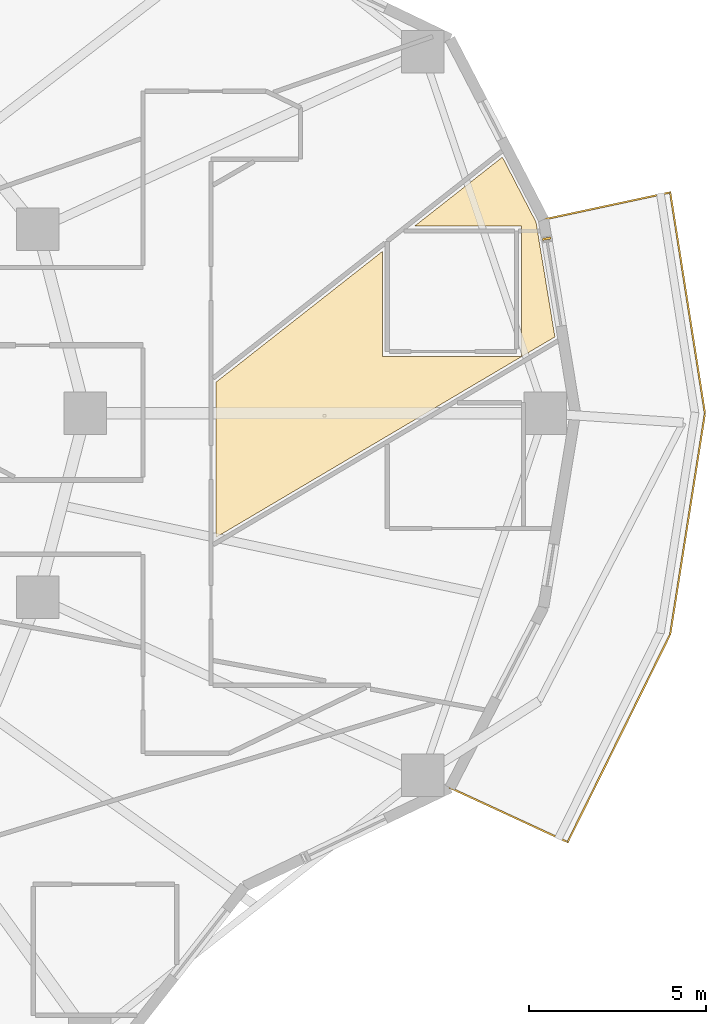
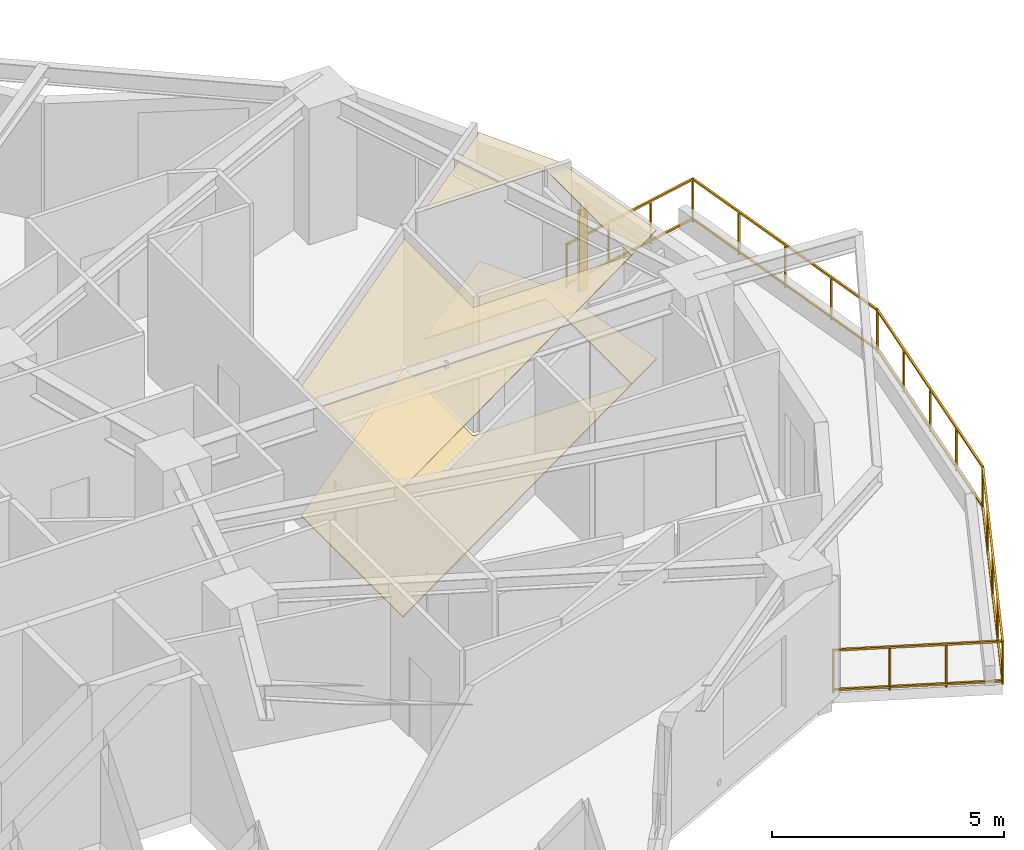
# One storey, part 14 of 16: 2 coverings, 1 railing, 1 shading device.
"""IFC4 building model written with IfcOpenShell, lengths in metres."""

from ifc_helpers import new_model, si_unit, direction, frame, origin, origin_2d, place, context, subcontext, project, spatial, polyline, rectangle, outline, extrude, material, layer, layer_set, type_object, element, save


model = new_model("IFC4")

# Units and contexts
model_context = context("Model", 3, precision=1e-05, world=origin(), true_north=direction((0.0, 1.0)))
body_context = subcontext(model_context, "Body", "Model", "MODEL_VIEW")
ifc_project = project(units=[si_unit("LENGTHUNIT", "METRE"), si_unit("AREAUNIT", "SQUARE_METRE"), si_unit("VOLUMEUNIT", "CUBIC_METRE"), si_unit("PLANEANGLEUNIT", "RADIAN"), si_unit("MASSUNIT", "GRAM", prefix="KILO")], contexts=[model_context])

# Site, building, storey
site_placement = place(None, origin())
site = spatial("IfcSite", under=ifc_project, at=site_placement, CompositionType="ELEMENT")
building_placement = place(site_placement, origin())
building = spatial("IfcBuilding", under=site, at=building_placement, Name="Kolvaren Gate Tower and Convention Centre", CompositionType="ELEMENT")
storey_placement = place(building_placement, frame((0.0, 0.0, 65.0)))
storey = spatial("IfcBuildingStorey", under=building, at=storey_placement, Name="L15", CompositionType="ELEMENT", Elevation=65.0)

# Coverings
ifc_material_1 = material(Name="Perforated Mineral-Fibre Acoustic Ceiling Tile 18 mm", Category="gypsum")
ifc_layer_1 = layer(ifc_material_1, 0.01806640625)
ifc_layer_set_1 = layer_set([ifc_layer_1], Name="Perforated Mineral-Fibre Acoustic Ceiling Tile 18 mm")
covering_type_1 = type_object("IfcCoveringType", Name="ARCH-COV-CEIL-18", PredefinedType="CEILING", material=ifc_layer_set_1)
covering_1_placement = place(storey_placement, frame((0.0, 0.0, 3.389892578125)))
element("IfcCovering", 1, at=covering_1_placement, inside=storey, type_object=covering_type_1, Name="Legal Chambers Cellular Office Acoustic Suspended Ceiling", PredefinedType="CEILING", context=body_context, shape_type="SweptSolid", body=[
    extrude(outline(polyline([(55.98388671875, 29.158935546875), (46.409912109375, 23.4970703125), (46.409912109375, 27.87890625), (51.110107421875, 31.572021484375), (51.110107421875, 28.610107421875), (55.0400390625, 28.610107421875), (55.0400390625, 32.2900390625), (52.02392578125, 32.2900390625), (54.5009765625, 34.236083984375), (55.449951171875, 32.403076171875), (55.98388671875, 29.158935546875)])), origin(), (0.0, 0.0, 1.0), 0.01806640625),
])
ifc_material_2 = material(Name="Honed Sabana Limestone Terrazzo Flooring 30 mm", Category="masonry")
ifc_layer_2 = layer(ifc_material_2, 0.030029296875)
ifc_layer_set_2 = layer_set([ifc_layer_2], Name="Honed Sabana Limestone Terrazzo Flooring 30 mm")
covering_type_2 = type_object("IfcCoveringType", Name="ARCH-COV-FLR-30", PredefinedType="FLOORING", material=ifc_layer_set_2)
covering_2_placement = place(storey_placement, origin())
element("IfcCovering", 2, at=covering_2_placement, inside=storey, type_object=covering_type_2, Name="Legal Chambers Cellular Office Interior Finish Flooring", PredefinedType="FLOORING", context=body_context, shape_type="SweptSolid", body=[
    extrude(outline(polyline([(55.98388671875, 29.158935546875), (46.409912109375, 23.4970703125), (46.409912109375, 27.87890625), (51.110107421875, 31.572021484375), (51.110107421875, 28.610107421875), (55.0400390625, 28.610107421875), (55.0400390625, 32.2900390625), (52.02392578125, 32.2900390625), (54.5009765625, 34.236083984375), (55.449951171875, 32.403076171875), (55.98388671875, 29.158935546875)])), origin(), (0.0, 0.0, 1.0), 0.030029296875),
])

# Railing
ifc_material_3 = material(Name="Brushed Stainless Steel Grade 316L", Category="steel")
railing_type = type_object("IfcRailingType", Name="ARCH-RL-GUARD-1150", PredefinedType="GUARDRAIL", material=ifc_material_3)
railing_placement = place(storey_placement, frame((53.0205078125, 16.425048828125, 0.0)))
element("IfcRailing", 3, at=railing_placement, inside=storey, type_object=railing_type, Name="Tower L15 Terrace Perimeter Guardrail GR-4", PredefinedType="GUARDRAIL", context=body_context, shape_type="SweptSolid", body=[
    extrude(rectangle(XDim=0.048095703125, YDim=0.048095703125, at=origin_2d()), frame((0.025390625, -0.01171875, 1.1259765625), z_axis=(0.907846116663, -0.419303503993, 0.0), x_axis=(0.419303503993, 0.907846116663, 0.0)), (0.0, 0.0, 1.0), 3.60400390625),
    extrude(rectangle(XDim=0.048095703125, YDim=0.048095703125, at=origin_2d()), frame((0.025390625, -0.01171875, 0.083984375), z_axis=(0.907846116663, -0.419303503993, 0.0), x_axis=(0.419303503993, 0.907846116663, 0.0)), (0.0, 0.0, 1.0), 3.60400390625),
    extrude(rectangle(XDim=0.048095703125, YDim=0.048095703125, at=origin_2d()), frame((3.335205078125, -1.509521484375, 1.1259765625), z_axis=(0.442686636348, 0.89667638644, 0.0), x_axis=(-0.89667638644, 0.442686636348, 0.0)), (0.0, 0.0, 1.0), 6.488525390625),
    extrude(rectangle(XDim=0.048095703125, YDim=0.048095703125, at=origin_2d()), frame((3.335205078125, -1.509521484375, 0.083984375), z_axis=(0.442686636348, 0.89667638644, 0.0), x_axis=(-0.89667638644, 0.442686636348, 0.0)), (0.0, 0.0, 1.0), 6.488525390625),
    extrude(rectangle(XDim=0.048095703125, YDim=0.048095703125, at=origin_2d()), frame((6.224365234375, 4.361328125, 1.1259765625), z_axis=(0.155418843943, 0.98784866399, 0.0), x_axis=(-0.98784866399, 0.155418843943, 0.0)), (0.0, 0.0, 1.0), 6.261962890625),
    extrude(rectangle(XDim=0.048095703125, YDim=0.048095703125, at=origin_2d()), frame((6.224365234375, 4.361328125, 0.083984375), z_axis=(0.155418843943, 0.98784866399, 0.0), x_axis=(-0.98784866399, 0.155418843943, 0.0)), (0.0, 0.0, 1.0), 6.261962890625),
    extrude(rectangle(XDim=0.048095703125, YDim=0.048095703125, at=origin_2d()), frame((7.197509765625, 10.6025390625, 1.1259765625), z_axis=(-0.155418843943, 0.98784866399, 0.0), x_axis=(-0.98784866399, -0.155418843943, 0.0)), (0.0, 0.0, 1.0), 6.261962890625),
    extrude(rectangle(XDim=0.048095703125, YDim=0.048095703125, at=origin_2d()), frame((7.197509765625, 10.6025390625, 0.083984375), z_axis=(-0.155418843943, 0.98784866399, 0.0), x_axis=(-0.98784866399, -0.155418843943, 0.0)), (0.0, 0.0, 1.0), 6.261962890625),
    extrude(rectangle(XDim=0.048095703125, YDim=0.048095703125, at=origin_2d()), frame((6.192626953125, 16.810302734375, 1.1259765625), z_axis=(-0.977791675321, -0.209579196661, 0.0), x_axis=(0.209579196661, -0.977791675321, 0.0)), (0.0, 0.0, 1.0), 3.60400390625),
    extrude(rectangle(XDim=0.048095703125, YDim=0.048095703125, at=origin_2d()), frame((6.192626953125, 16.810302734375, 0.083984375), z_axis=(-0.977791675321, -0.209579196661, 0.0), x_axis=(0.209579196661, -0.977791675321, 0.0)), (0.0, 0.0, 1.0), 3.60400390625),
    extrude(rectangle(XDim=0.0419921875, YDim=0.0419921875, at=origin_2d()), origin(), (0.0, 0.0, 1.0), 1.14990234375),
    extrude(rectangle(XDim=0.0419921875, YDim=0.0419921875, at=origin_2d()), frame((3.32275390625, -1.53466796875, 0.0)), (0.0, 0.0, 1.0), 1.14990234375),
    extrude(rectangle(XDim=0.0419921875, YDim=0.0419921875, at=origin_2d()), frame((1.107666015625, -0.511474609375, 0.0)), (0.0, 0.0, 1.0), 1.099853515625),
    extrude(rectangle(XDim=0.0419921875, YDim=0.0419921875, at=origin_2d()), frame((2.215087890625, -1.023193359375, 0.0)), (0.0, 0.0, 1.0), 1.099853515625),
    extrude(rectangle(XDim=0.0419921875, YDim=0.0419921875, at=origin_2d()), frame((6.219970703125, 4.333740234375, 0.0)), (0.0, 0.0, 1.0), 1.14990234375),
    extrude(rectangle(XDim=0.0419921875, YDim=0.0419921875, at=origin_2d()), frame((4.047119140625, -0.067626953125, 0.0)), (0.0, 0.0, 1.0), 1.099853515625),
    extrude(rectangle(XDim=0.0419921875, YDim=0.0419921875, at=origin_2d()), frame((4.771484375, 1.3994140625, 0.0)), (0.0, 0.0, 1.0), 1.099853515625),
    extrude(rectangle(XDim=0.0419921875, YDim=0.0419921875, at=origin_2d()), frame((5.49560546875, 2.86669921875, 0.0)), (0.0, 0.0, 1.0), 1.099853515625),
    extrude(rectangle(XDim=0.0419921875, YDim=0.0419921875, at=origin_2d()), frame((7.201904296875, 10.574951171875, 0.0)), (0.0, 0.0, 1.0), 1.14990234375),
    extrude(rectangle(XDim=0.0419921875, YDim=0.0419921875, at=origin_2d()), frame((6.46533203125, 5.89404296875, 0.0)), (0.0, 0.0, 1.0), 1.099853515625),
    extrude(rectangle(XDim=0.0419921875, YDim=0.0419921875, at=origin_2d()), frame((6.7109375, 7.454345703125, 0.0)), (0.0, 0.0, 1.0), 1.099853515625),
    extrude(rectangle(XDim=0.0419921875, YDim=0.0419921875, at=origin_2d()), frame((6.95654296875, 9.0146484375, 0.0)), (0.0, 0.0, 1.0), 1.099853515625),
    extrude(rectangle(XDim=0.0419921875, YDim=0.0419921875, at=origin_2d()), frame((6.219970703125, 16.816162109375, 0.0)), (0.0, 0.0, 1.0), 1.14990234375),
    extrude(rectangle(XDim=0.0419921875, YDim=0.0419921875, at=origin_2d()), frame((6.95654296875, 12.13525390625, 0.0)), (0.0, 0.0, 1.0), 1.099853515625),
    extrude(rectangle(XDim=0.0419921875, YDim=0.0419921875, at=origin_2d()), frame((6.7109375, 13.695556640625, 0.0)), (0.0, 0.0, 1.0), 1.099853515625),
    extrude(rectangle(XDim=0.0419921875, YDim=0.0419921875, at=origin_2d()), frame((6.46533203125, 15.255859375, 0.0)), (0.0, 0.0, 1.0), 1.099853515625),
    extrude(rectangle(XDim=0.0419921875, YDim=0.0419921875, at=origin_2d()), frame((2.64111328125, 16.049072265625, 0.0)), (0.0, 0.0, 1.0), 1.14990234375),
    extrude(rectangle(XDim=0.0419921875, YDim=0.0419921875, at=origin_2d()), frame((5.027099609375, 16.560546875, 0.0)), (0.0, 0.0, 1.0), 1.099853515625),
    extrude(rectangle(XDim=0.0419921875, YDim=0.0419921875, at=origin_2d()), frame((3.833984375, 16.3046875, 0.0)), (0.0, 0.0, 1.0), 1.099853515625),
])

# Shading device
ifc_material_4 = material(Name="Kiln-Fired Bogota Terracotta Ceramic Louvre Profile", Category="masonry")
shading_device_type = type_object("IfcShadingDeviceType", Name="ARCH-SHD-FIN-180", PredefinedType="JALOUSIE", material=ifc_material_4)
shading_device_placement = place(storey_placement, frame((55.7509765625, 31.931396484375, 0.219970703125), z_axis=(0.0, 0.0, 1.0), x_axis=(0.162375401515, -0.986729055508, 0.0)))
element("IfcShadingDevice", 4, at=shading_device_placement, inside=storey, type_object=shading_device_type, Name="Ceramic Vertical Brise-Soleil Fin FN-L15-00", PredefinedType="JALOUSIE", context=body_context, shape_type="SweptSolid", body=[
    extrude(rectangle(XDim=0.06005859375, YDim=0.239990234375, at=origin_2d()), origin(), (0.0, 0.0, 1.0), 2.14990234375),
])

save(model, "model.ifc")
